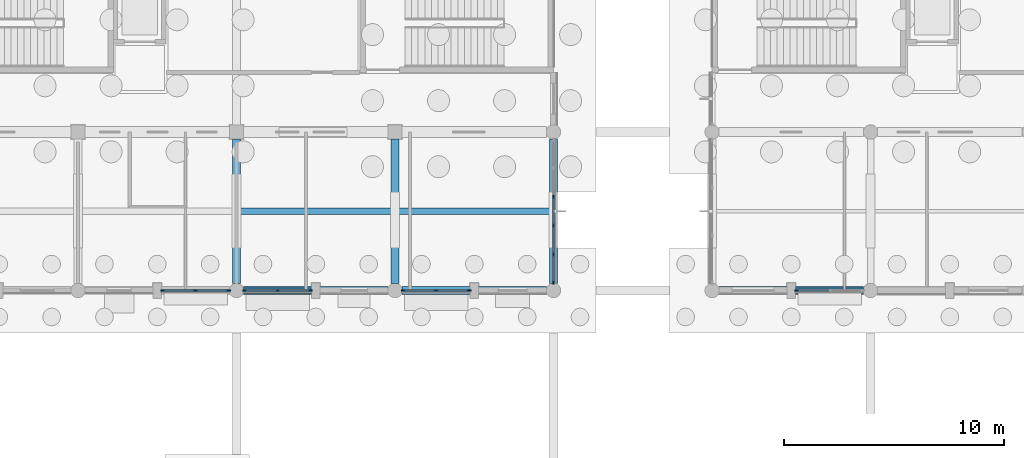
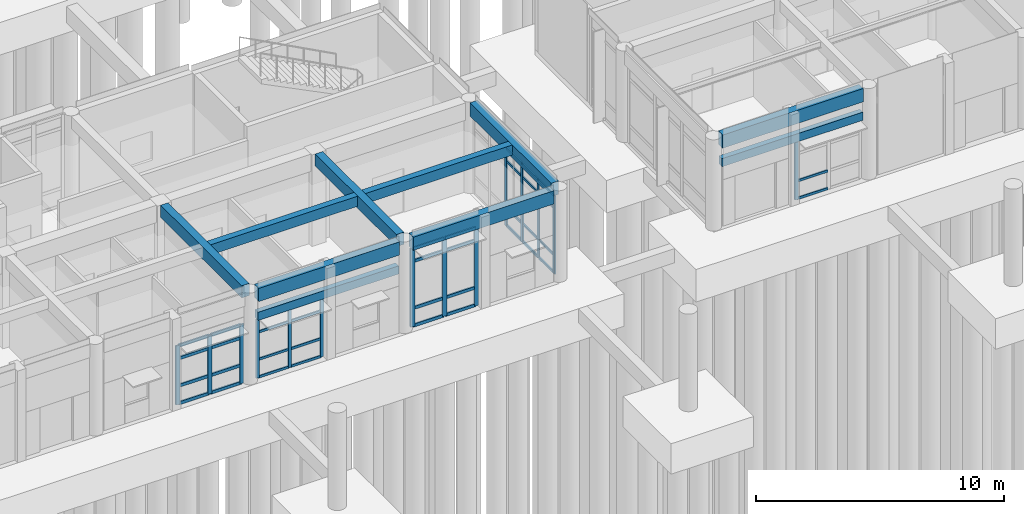
# One storey, part 19 of 103: 52 members, 10 beams, 5 elements without a shape of their own.
"""IFC4 building model written with IfcOpenShell, lengths in metres."""

from ifc_helpers import new_model, si_unit, direction, frame, origin, origin_2d, place, context, subcontext, project, spatial, rectangle, extrude, material, layer, layer_set, material_profile, profile_set, type_object, element, aggregate, save


model = new_model("IFC4")

# Units and contexts
model_context = context("Model", 3, precision=1e-05, world=origin(), true_north=direction((0.0, 1.0)))
body_context = subcontext(model_context, "Body", "Model", "MODEL_VIEW")
ifc_project = project(units=[si_unit("LENGTHUNIT", "METRE"), si_unit("AREAUNIT", "SQUARE_METRE"), si_unit("VOLUMEUNIT", "CUBIC_METRE"), si_unit("PLANEANGLEUNIT", "RADIAN"), si_unit("MASSUNIT", "GRAM", prefix="KILO")], contexts=[model_context])

# Site, building, storey
site_placement = place(None, origin())
site = spatial("IfcSite", under=ifc_project, at=site_placement, CompositionType="ELEMENT")
building_placement = place(site_placement, origin())
building = spatial("IfcBuilding", under=site, at=building_placement, Name="Namkhue Oval Health Centre", CompositionType="ELEMENT")
storey_placement = place(building_placement, origin())
storey = spatial("IfcBuildingStorey", under=building, at=storey_placement, Name="L00", CompositionType="ELEMENT", Elevation=0.0)

# Curtain wall, members
ifc_material_1 = material(Name="Anodised aluminium EN AW-6063 T6", Category="aluminium")
ifc_layer_1 = layer(ifc_material_1, 0.159912109375)
ifc_layer_set_1 = layer_set([ifc_layer_1], Name="Anodised aluminium EN AW-6063 T6")
curtain_wall_type_1 = type_object("IfcCurtainWallType", Name="UNITISED CURTAIN WALL M1800", PredefinedType="NOTDEFINED", material=ifc_layer_set_1)
curtain_wall_1_placement = place(storey_placement, origin())
curtain_wall_1 = element("IfcCurtainWall", 1, at=curtain_wall_1_placement, inside=storey, type_object=curtain_wall_type_1, Name="Volume V4 L00 Unitised Curtain Wall 137", PredefinedType="NOTDEFINED")
ifc_material_profile_1 = material_profile(ifc_material_1, rectangle(XDim=0.06494140625, YDim=0.159912109375, at=origin_2d()), Name="ALU 65x160")
ifc_profile_set_1 = profile_set([ifc_material_profile_1], Name="Anodised aluminium EN AW-6063 T6")
member_type_1 = type_object("IfcMemberType", Name="CURTAIN WALL MULLION 65X160", PredefinedType="MULLION", material=ifc_profile_set_1)
member_1_placement = place(storey_placement, frame((72.367431640625, 14.39990234375, 0.0), z_axis=(0.0, 0.0, 1.0), x_axis=(0.0, 1.0, 0.0)))
member_1 = element("IfcMember", 2, at=member_1_placement, type_object=member_type_1, Name="CW-05 mullion 1", PredefinedType="MULLION", context=body_context, shape_type="SweptSolid", body=[
    extrude(rectangle(XDim=0.06494140625, YDim=0.159912109375, at=origin_2d()), origin(), (0.0, 0.0, 1.0), 2.89990234375),
])
member_2_placement = place(storey_placement, frame((73.862060546875, 14.39990234375, 0.0), z_axis=(0.0, 0.0, 1.0), x_axis=(0.0, 1.0, 0.0)))
member_2 = element("IfcMember", 3, at=member_2_placement, type_object=member_type_1, Name="CW-05 mullion 2", PredefinedType="MULLION", context=body_context, shape_type="SweptSolid", body=[
    extrude(rectangle(XDim=0.06494140625, YDim=0.159912109375, at=origin_2d()), origin(), (0.0, 0.0, 1.0), 2.89990234375),
])
member_3_placement = place(storey_placement, frame((75.3564453125, 14.39990234375, 0.0), z_axis=(0.0, 0.0, 1.0), x_axis=(0.0, 1.0, 0.0)))
member_3 = element("IfcMember", 4, at=member_3_placement, type_object=member_type_1, Name="CW-05 mullion 3", PredefinedType="MULLION", context=body_context, shape_type="SweptSolid", body=[
    extrude(rectangle(XDim=0.06494140625, YDim=0.159912109375, at=origin_2d()), origin(), (0.0, 0.0, 1.0), 2.89990234375),
])

ifc_layer_2 = layer(ifc_material_1, 0.159912109375)
ifc_layer_set_2 = layer_set([ifc_layer_2], Name="Anodised aluminium EN AW-6063 T6")
curtain_wall_type_2 = type_object("IfcCurtainWallType", Name="UNITISED CURTAIN WALL M1200", PredefinedType="NOTDEFINED", material=ifc_layer_set_2)
curtain_wall_2_placement = place(storey_placement, origin())
curtain_wall_2 = element("IfcCurtainWall", 5, at=curtain_wall_2_placement, inside=storey, type_object=curtain_wall_type_2, Name="Volume V4 L00 Unitised Curtain Wall 139", PredefinedType="NOTDEFINED")
member_4_placement = place(storey_placement, frame((86.39990234375, 14.767578125, 0.0), z_axis=(0.0, 0.0, 1.0), x_axis=(-1.0, 0.0, 0.0)))
member_4 = element("IfcMember", 6, at=member_4_placement, type_object=member_type_1, Name="CW-01 mullion 1", PredefinedType="MULLION", context=body_context, shape_type="SweptSolid", body=[
    extrude(rectangle(XDim=0.06494140625, YDim=0.159912109375, at=origin_2d()), origin(), (0.0, 0.0, 1.0), 3.860107421875),
])
member_5_placement = place(storey_placement, frame((86.39990234375, 16.041015625, 0.0), z_axis=(0.0, 0.0, 1.0), x_axis=(-1.0, 0.0, 0.0)))
member_5 = element("IfcMember", 7, at=member_5_placement, type_object=member_type_1, Name="CW-01 mullion 2", PredefinedType="MULLION", context=body_context, shape_type="SweptSolid", body=[
    extrude(rectangle(XDim=0.06494140625, YDim=0.159912109375, at=origin_2d()), origin(), (0.0, 0.0, 1.0), 3.860107421875),
])
member_6_placement = place(storey_placement, frame((86.39990234375, 17.346923828125, 0.0), z_axis=(0.0, 0.0, 1.0), x_axis=(-1.0, 0.0, 0.0)))
member_6 = element("IfcMember", 8, at=member_6_placement, type_object=member_type_1, Name="CW-01 mullion 3", PredefinedType="MULLION", context=body_context, shape_type="SweptSolid", body=[
    extrude(rectangle(XDim=0.06494140625, YDim=0.159912109375, at=origin_2d()), origin(), (0.0, 0.0, 1.0), 3.860107421875),
])
member_7_placement = place(storey_placement, frame((86.39990234375, 18.653076171875, 0.0), z_axis=(0.0, 0.0, 1.0), x_axis=(-1.0, 0.0, 0.0)))
member_7 = element("IfcMember", 9, at=member_7_placement, type_object=member_type_1, Name="CW-01 mullion 4", PredefinedType="MULLION", context=body_context, shape_type="SweptSolid", body=[
    extrude(rectangle(XDim=0.06494140625, YDim=0.159912109375, at=origin_2d()), origin(), (0.0, 0.0, 1.0), 3.860107421875),
])

# Curtain wall, member
ifc_layer_3 = layer(ifc_material_1, 0.159912109375)
ifc_layer_set_3 = layer_set([ifc_layer_3], Name="Anodised aluminium EN AW-6063 T6")
curtain_wall_type_3 = type_object("IfcCurtainWallType", Name="UNITISED CURTAIN WALL M1500", PredefinedType="NOTDEFINED", material=ifc_layer_set_3)
curtain_wall_3_placement = place(storey_placement, origin())
curtain_wall_3 = element("IfcCurtainWall", 10, at=curtain_wall_3_placement, inside=storey, type_object=curtain_wall_type_3, Name="Volume V5 L00 Unitised Curtain Wall 177", PredefinedType="NOTDEFINED")
member_8_placement = place(storey_placement, frame((97.443603515625, 14.39990234375, 0.0), z_axis=(0.0, 0.0, 1.0), x_axis=(0.0, 1.0, 0.0)))
member_8 = element("IfcMember", 11, at=member_8_placement, type_object=member_type_1, Name="CW-03 mullion 1", PredefinedType="MULLION", context=body_context, shape_type="SweptSolid", body=[
    extrude(rectangle(XDim=0.06494140625, YDim=0.159912109375, at=origin_2d()), origin(), (0.0, 0.0, 1.0), 2.89990234375),
])

# Curtain wall, members
ifc_layer_4 = layer(ifc_material_1, 0.159912109375)
ifc_layer_set_4 = layer_set([ifc_layer_4], Name="Anodised aluminium EN AW-6063 T6")
curtain_wall_type_4 = type_object("IfcCurtainWallType", Name="UNITISED CURTAIN WALL M1600", PredefinedType="NOTDEFINED", material=ifc_layer_set_4)
curtain_wall_4_placement = place(storey_placement, origin())
curtain_wall_4 = element("IfcCurtainWall", 12, at=curtain_wall_4_placement, inside=storey, type_object=curtain_wall_type_4, Name="Volume V4 L00 Unitised Curtain Wall 136", PredefinedType="NOTDEFINED")
ifc_material_profile_2 = material_profile(ifc_material_1, rectangle(XDim=0.074951171875, YDim=0.199951171875, at=origin_2d()), Name="ALU 75x200")
ifc_profile_set_2 = profile_set([ifc_material_profile_2], Name="Anodised aluminium EN AW-6063 T6")
member_type_2 = type_object("IfcMemberType", Name="CURTAIN WALL MULLION 75X200", PredefinedType="MULLION", material=ifc_profile_set_2)
member_9_placement = place(storey_placement, frame((68.6484375, 14.39990234375, 0.0), z_axis=(0.0, 0.0, 1.0), x_axis=(0.0, 1.0, 0.0)))
member_9 = element("IfcMember", 13, at=member_9_placement, type_object=member_type_2, Name="CW-04 mullion 1", PredefinedType="MULLION", context=body_context, shape_type="SweptSolid", body=[
    extrude(rectangle(XDim=0.074951171875, YDim=0.199951171875, at=origin_2d()), origin(), (0.0, 0.0, 1.0), 2.89990234375),
])
member_10_placement = place(storey_placement, frame((70.137939453125, 14.39990234375, 0.0), z_axis=(0.0, 0.0, 1.0), x_axis=(0.0, 1.0, 0.0)))
member_10 = element("IfcMember", 14, at=member_10_placement, type_object=member_type_2, Name="CW-04 mullion 2", PredefinedType="MULLION", context=body_context, shape_type="SweptSolid", body=[
    extrude(rectangle(XDim=0.074951171875, YDim=0.199951171875, at=origin_2d()), origin(), (0.0, 0.0, 1.0), 2.89990234375),
])
member_11_placement = place(storey_placement, frame((71.62744140625, 14.39990234375, 0.0), z_axis=(0.0, 0.0, 1.0), x_axis=(0.0, 1.0, 0.0)))
member_11 = element("IfcMember", 15, at=member_11_placement, type_object=member_type_2, Name="CW-04 mullion 3", PredefinedType="MULLION", context=body_context, shape_type="SweptSolid", body=[
    extrude(rectangle(XDim=0.074951171875, YDim=0.199951171875, at=origin_2d()), origin(), (0.0, 0.0, 1.0), 2.89990234375),
])

ifc_layer_5 = layer(ifc_material_1, 0.159912109375)
ifc_layer_set_5 = layer_set([ifc_layer_5], Name="Anodised aluminium EN AW-6063 T6")
curtain_wall_type_5 = type_object("IfcCurtainWallType", Name="UNITISED CURTAIN WALL M2000", PredefinedType="NOTDEFINED", material=ifc_layer_set_5)
curtain_wall_5_placement = place(storey_placement, origin())
curtain_wall_5 = element("IfcCurtainWall", 16, at=curtain_wall_5_placement, inside=storey, type_object=curtain_wall_type_5, Name="Volume V4 L00 Unitised Curtain Wall 138", PredefinedType="NOTDEFINED")
member_12_placement = place(storey_placement, frame((79.572509765625, 14.39990234375, 0.0), z_axis=(0.0, 0.0, 1.0), x_axis=(0.0, 1.0, 0.0)))
member_12 = element("IfcMember", 17, at=member_12_placement, type_object=member_type_2, Name="CW-06 mullion 1", PredefinedType="MULLION", context=body_context, shape_type="SweptSolid", body=[
    extrude(rectangle(XDim=0.074951171875, YDim=0.199951171875, at=origin_2d()), origin(), (0.0, 0.0, 1.0), 3.860107421875),
])
member_13_placement = place(storey_placement, frame((81.06201171875, 14.39990234375, 0.0), z_axis=(0.0, 0.0, 1.0), x_axis=(0.0, 1.0, 0.0)))
member_13 = element("IfcMember", 18, at=member_13_placement, type_object=member_type_2, Name="CW-06 mullion 2", PredefinedType="MULLION", context=body_context, shape_type="SweptSolid", body=[
    extrude(rectangle(XDim=0.074951171875, YDim=0.199951171875, at=origin_2d()), origin(), (0.0, 0.0, 1.0), 3.860107421875),
])
member_14_placement = place(storey_placement, frame((82.551513671875, 14.39990234375, 0.0), z_axis=(0.0, 0.0, 1.0), x_axis=(0.0, 1.0, 0.0)))
member_14 = element("IfcMember", 19, at=member_14_placement, type_object=member_type_2, Name="CW-06 mullion 3", PredefinedType="MULLION", context=body_context, shape_type="SweptSolid", body=[
    extrude(rectangle(XDim=0.074951171875, YDim=0.199951171875, at=origin_2d()), origin(), (0.0, 0.0, 1.0), 3.860107421875),
])

# Member
ifc_material_profile_3 = material_profile(ifc_material_1, rectangle(XDim=0.06494140625, YDim=0.1201171875, at=origin_2d()), Name="ALU 65x120")
ifc_profile_set_3 = profile_set([ifc_material_profile_3], Name="Anodised aluminium EN AW-6063 T6")
member_type_3 = type_object("IfcMemberType", Name="CURTAIN WALL TRANSOM 65X120", PredefinedType="USERDEFINED", material=ifc_profile_set_3)
member_15_placement = place(storey_placement, frame((72.39990234375, 14.39990234375, 0.032470703125), z_axis=(1.0, 0.0, 0.0), x_axis=(0.0, 1.0, 0.0)))
member_15 = element("IfcMember", 20, at=member_15_placement, type_object=member_type_3, Name="CW-05 transom 1.1", ObjectType="TRANSOM", PredefinedType="USERDEFINED", context=body_context, shape_type="SweptSolid", body=[
    extrude(rectangle(XDim=0.06494140625, YDim=0.1201171875, at=origin_2d()), origin(), (0.0, 0.0, 1.0), 1.4296875),
])

member_16_placement = place(storey_placement, frame((72.39990234375, 14.39990234375, 0.89990234375), z_axis=(1.0, 0.0, 0.0), x_axis=(0.0, 1.0, 0.0)))
member_16 = element("IfcMember", 21, at=member_16_placement, type_object=member_type_3, Name="CW-05 transom 1.2", ObjectType="TRANSOM", PredefinedType="USERDEFINED", context=body_context, shape_type="SweptSolid", body=[
    extrude(rectangle(XDim=0.06494140625, YDim=0.1201171875, at=origin_2d()), origin(), (0.0, 0.0, 1.0), 1.4296875),
])

member_17_placement = place(storey_placement, frame((72.39990234375, 14.39990234375, 2.25), z_axis=(1.0, 0.0, 0.0), x_axis=(0.0, 1.0, 0.0)))
member_17 = element("IfcMember", 22, at=member_17_placement, type_object=member_type_3, Name="CW-05 transom 1.3", ObjectType="TRANSOM", PredefinedType="USERDEFINED", context=body_context, shape_type="SweptSolid", body=[
    extrude(rectangle(XDim=0.06494140625, YDim=0.1201171875, at=origin_2d()), origin(), (0.0, 0.0, 1.0), 1.4296875),
])

member_18_placement = place(storey_placement, frame((72.39990234375, 14.39990234375, 2.867431640625), z_axis=(1.0, 0.0, 0.0), x_axis=(0.0, 1.0, 0.0)))
member_18 = element("IfcMember", 23, at=member_18_placement, type_object=member_type_3, Name="CW-05 transom 1.4", ObjectType="TRANSOM", PredefinedType="USERDEFINED", context=body_context, shape_type="SweptSolid", body=[
    extrude(rectangle(XDim=0.06494140625, YDim=0.1201171875, at=origin_2d()), origin(), (0.0, 0.0, 1.0), 1.4296875),
])

member_19_placement = place(storey_placement, frame((73.89453125, 14.39990234375, 0.032470703125), z_axis=(1.0, 0.0, 0.0), x_axis=(0.0, 1.0, 0.0)))
member_19 = element("IfcMember", 24, at=member_19_placement, type_object=member_type_3, Name="CW-05 transom 2.1", ObjectType="TRANSOM", PredefinedType="USERDEFINED", context=body_context, shape_type="SweptSolid", body=[
    extrude(rectangle(XDim=0.06494140625, YDim=0.1201171875, at=origin_2d()), origin(), (0.0, 0.0, 1.0), 1.429443359375),
])

member_20_placement = place(storey_placement, frame((73.89453125, 14.39990234375, 0.89990234375), z_axis=(1.0, 0.0, 0.0), x_axis=(0.0, 1.0, 0.0)))
member_20 = element("IfcMember", 25, at=member_20_placement, type_object=member_type_3, Name="CW-05 transom 2.2", ObjectType="TRANSOM", PredefinedType="USERDEFINED", context=body_context, shape_type="SweptSolid", body=[
    extrude(rectangle(XDim=0.06494140625, YDim=0.1201171875, at=origin_2d()), origin(), (0.0, 0.0, 1.0), 1.429443359375),
])

member_21_placement = place(storey_placement, frame((73.89453125, 14.39990234375, 2.25), z_axis=(1.0, 0.0, 0.0), x_axis=(0.0, 1.0, 0.0)))
member_21 = element("IfcMember", 26, at=member_21_placement, type_object=member_type_3, Name="CW-05 transom 2.3", ObjectType="TRANSOM", PredefinedType="USERDEFINED", context=body_context, shape_type="SweptSolid", body=[
    extrude(rectangle(XDim=0.06494140625, YDim=0.1201171875, at=origin_2d()), origin(), (0.0, 0.0, 1.0), 1.429443359375),
])

member_22_placement = place(storey_placement, frame((73.89453125, 14.39990234375, 2.867431640625), z_axis=(1.0, 0.0, 0.0), x_axis=(0.0, 1.0, 0.0)))
member_22 = element("IfcMember", 27, at=member_22_placement, type_object=member_type_3, Name="CW-05 transom 2.4", ObjectType="TRANSOM", PredefinedType="USERDEFINED", context=body_context, shape_type="SweptSolid", body=[
    extrude(rectangle(XDim=0.06494140625, YDim=0.1201171875, at=origin_2d()), origin(), (0.0, 0.0, 1.0), 1.429443359375),
])

aggregate(curtain_wall_1, [member_1, member_2, member_3, member_15, member_16, member_17, member_18, member_19, member_20, member_21, member_22])

member_23_placement = place(storey_placement, frame((86.39990234375, 14.800048828125, 0.032470703125), z_axis=(0.0, 1.0, 0.0), x_axis=(-1.0, 0.0, 0.0)))
member_23 = element("IfcMember", 28, at=member_23_placement, type_object=member_type_3, Name="CW-01 transom 1.1", ObjectType="TRANSOM", PredefinedType="USERDEFINED", context=body_context, shape_type="SweptSolid", body=[
    extrude(rectangle(XDim=0.06494140625, YDim=0.1201171875, at=origin_2d()), origin(), (0.0, 0.0, 1.0), 1.20849609375),
])

member_24_placement = place(storey_placement, frame((86.39990234375, 14.800048828125, 0.89990234375), z_axis=(0.0, 1.0, 0.0), x_axis=(-1.0, 0.0, 0.0)))
member_24 = element("IfcMember", 29, at=member_24_placement, type_object=member_type_3, Name="CW-01 transom 1.2", ObjectType="TRANSOM", PredefinedType="USERDEFINED", context=body_context, shape_type="SweptSolid", body=[
    extrude(rectangle(XDim=0.06494140625, YDim=0.1201171875, at=origin_2d()), origin(), (0.0, 0.0, 1.0), 1.20849609375),
])

member_25_placement = place(storey_placement, frame((86.39990234375, 14.800048828125, 3.2099609375), z_axis=(0.0, 1.0, 0.0), x_axis=(-1.0, 0.0, 0.0)))
member_25 = element("IfcMember", 30, at=member_25_placement, type_object=member_type_3, Name="CW-01 transom 1.3", ObjectType="TRANSOM", PredefinedType="USERDEFINED", context=body_context, shape_type="SweptSolid", body=[
    extrude(rectangle(XDim=0.06494140625, YDim=0.1201171875, at=origin_2d()), origin(), (0.0, 0.0, 1.0), 1.20849609375),
])

member_26_placement = place(storey_placement, frame((86.39990234375, 14.800048828125, 3.827392578125), z_axis=(0.0, 1.0, 0.0), x_axis=(-1.0, 0.0, 0.0)))
member_26 = element("IfcMember", 31, at=member_26_placement, type_object=member_type_3, Name="CW-01 transom 1.4", ObjectType="TRANSOM", PredefinedType="USERDEFINED", context=body_context, shape_type="SweptSolid", body=[
    extrude(rectangle(XDim=0.06494140625, YDim=0.1201171875, at=origin_2d()), origin(), (0.0, 0.0, 1.0), 1.20849609375),
])

member_27_placement = place(storey_placement, frame((86.39990234375, 16.073486328125, 0.032470703125), z_axis=(0.0, 1.0, 0.0), x_axis=(-1.0, 0.0, 0.0)))
member_27 = element("IfcMember", 32, at=member_27_placement, type_object=member_type_3, Name="CW-01 transom 2.1", ObjectType="TRANSOM", PredefinedType="USERDEFINED", context=body_context, shape_type="SweptSolid", body=[
    extrude(rectangle(XDim=0.06494140625, YDim=0.1201171875, at=origin_2d()), origin(), (0.0, 0.0, 1.0), 1.240966796875),
])

member_28_placement = place(storey_placement, frame((86.39990234375, 16.073486328125, 0.89990234375), z_axis=(0.0, 1.0, 0.0), x_axis=(-1.0, 0.0, 0.0)))
member_28 = element("IfcMember", 33, at=member_28_placement, type_object=member_type_3, Name="CW-01 transom 2.2", ObjectType="TRANSOM", PredefinedType="USERDEFINED", context=body_context, shape_type="SweptSolid", body=[
    extrude(rectangle(XDim=0.06494140625, YDim=0.1201171875, at=origin_2d()), origin(), (0.0, 0.0, 1.0), 1.240966796875),
])

member_29_placement = place(storey_placement, frame((86.39990234375, 16.073486328125, 3.2099609375), z_axis=(0.0, 1.0, 0.0), x_axis=(-1.0, 0.0, 0.0)))
member_29 = element("IfcMember", 34, at=member_29_placement, type_object=member_type_3, Name="CW-01 transom 2.3", ObjectType="TRANSOM", PredefinedType="USERDEFINED", context=body_context, shape_type="SweptSolid", body=[
    extrude(rectangle(XDim=0.06494140625, YDim=0.1201171875, at=origin_2d()), origin(), (0.0, 0.0, 1.0), 1.240966796875),
])

member_30_placement = place(storey_placement, frame((86.39990234375, 16.073486328125, 3.827392578125), z_axis=(0.0, 1.0, 0.0), x_axis=(-1.0, 0.0, 0.0)))
member_30 = element("IfcMember", 35, at=member_30_placement, type_object=member_type_3, Name="CW-01 transom 2.4", ObjectType="TRANSOM", PredefinedType="USERDEFINED", context=body_context, shape_type="SweptSolid", body=[
    extrude(rectangle(XDim=0.06494140625, YDim=0.1201171875, at=origin_2d()), origin(), (0.0, 0.0, 1.0), 1.240966796875),
])

member_31_placement = place(storey_placement, frame((86.39990234375, 17.37939453125, 0.032470703125), z_axis=(0.0, 1.0, 0.0), x_axis=(-1.0, 0.0, 0.0)))
member_31 = element("IfcMember", 36, at=member_31_placement, type_object=member_type_3, Name="CW-01 transom 3.1", ObjectType="TRANSOM", PredefinedType="USERDEFINED", context=body_context, shape_type="SweptSolid", body=[
    extrude(rectangle(XDim=0.06494140625, YDim=0.1201171875, at=origin_2d()), origin(), (0.0, 0.0, 1.0), 1.2412109375),
])

member_32_placement = place(storey_placement, frame((86.39990234375, 17.37939453125, 0.89990234375), z_axis=(0.0, 1.0, 0.0), x_axis=(-1.0, 0.0, 0.0)))
member_32 = element("IfcMember", 37, at=member_32_placement, type_object=member_type_3, Name="CW-01 transom 3.2", ObjectType="TRANSOM", PredefinedType="USERDEFINED", context=body_context, shape_type="SweptSolid", body=[
    extrude(rectangle(XDim=0.06494140625, YDim=0.1201171875, at=origin_2d()), origin(), (0.0, 0.0, 1.0), 1.2412109375),
])

member_33_placement = place(storey_placement, frame((86.39990234375, 17.37939453125, 3.2099609375), z_axis=(0.0, 1.0, 0.0), x_axis=(-1.0, 0.0, 0.0)))
member_33 = element("IfcMember", 38, at=member_33_placement, type_object=member_type_3, Name="CW-01 transom 3.3", ObjectType="TRANSOM", PredefinedType="USERDEFINED", context=body_context, shape_type="SweptSolid", body=[
    extrude(rectangle(XDim=0.06494140625, YDim=0.1201171875, at=origin_2d()), origin(), (0.0, 0.0, 1.0), 1.2412109375),
])

member_34_placement = place(storey_placement, frame((86.39990234375, 17.37939453125, 3.827392578125), z_axis=(0.0, 1.0, 0.0), x_axis=(-1.0, 0.0, 0.0)))
member_34 = element("IfcMember", 39, at=member_34_placement, type_object=member_type_3, Name="CW-01 transom 3.4", ObjectType="TRANSOM", PredefinedType="USERDEFINED", context=body_context, shape_type="SweptSolid", body=[
    extrude(rectangle(XDim=0.06494140625, YDim=0.1201171875, at=origin_2d()), origin(), (0.0, 0.0, 1.0), 1.2412109375),
])

aggregate(curtain_wall_2, [member_4, member_5, member_6, member_7, member_23, member_24, member_25, member_26, member_27, member_28, member_29, member_30, member_31, member_32, member_33, member_34])

member_35_placement = place(storey_placement, frame((97.47607421875, 14.39990234375, 0.032470703125), z_axis=(1.0, 0.0, 0.0), x_axis=(0.0, 1.0, 0.0)))
member_35 = element("IfcMember", 40, at=member_35_placement, type_object=member_type_3, Name="CW-03 transom 1.1", ObjectType="TRANSOM", PredefinedType="USERDEFINED", context=body_context, shape_type="SweptSolid", body=[
    extrude(rectangle(XDim=0.06494140625, YDim=0.1201171875, at=origin_2d()), origin(), (0.0, 0.0, 1.0), 1.429443359375),
])

member_36_placement = place(storey_placement, frame((97.47607421875, 14.39990234375, 0.89990234375), z_axis=(1.0, 0.0, 0.0), x_axis=(0.0, 1.0, 0.0)))
member_36 = element("IfcMember", 41, at=member_36_placement, type_object=member_type_3, Name="CW-03 transom 1.2", ObjectType="TRANSOM", PredefinedType="USERDEFINED", context=body_context, shape_type="SweptSolid", body=[
    extrude(rectangle(XDim=0.06494140625, YDim=0.1201171875, at=origin_2d()), origin(), (0.0, 0.0, 1.0), 1.429443359375),
])

aggregate(curtain_wall_3, [member_8, member_35, member_36])

ifc_material_profile_4 = material_profile(ifc_material_1, rectangle(XDim=0.074951171875, YDim=0.14990234375, at=origin_2d()), Name="ALU 75x150")
ifc_profile_set_4 = profile_set([ifc_material_profile_4], Name="Anodised aluminium EN AW-6063 T6")
member_type_4 = type_object("IfcMemberType", Name="CURTAIN WALL TRANSOM 75X150", PredefinedType="USERDEFINED", material=ifc_profile_set_4)
member_37_placement = place(storey_placement, frame((68.68603515625, 14.39990234375, 0.03759765625), z_axis=(1.0, 0.0, 0.0), x_axis=(0.0, 1.0, 0.0)))
member_37 = element("IfcMember", 42, at=member_37_placement, type_object=member_type_4, Name="CW-04 transom 1.1", ObjectType="TRANSOM", PredefinedType="USERDEFINED", context=body_context, shape_type="SweptSolid", body=[
    extrude(rectangle(XDim=0.074951171875, YDim=0.14990234375, at=origin_2d()), origin(), (0.0, 0.0, 1.0), 1.41455078125),
])

member_38_placement = place(storey_placement, frame((68.68603515625, 14.39990234375, 0.89990234375), z_axis=(1.0, 0.0, 0.0), x_axis=(0.0, 1.0, 0.0)))
member_38 = element("IfcMember", 43, at=member_38_placement, type_object=member_type_4, Name="CW-04 transom 1.2", ObjectType="TRANSOM", PredefinedType="USERDEFINED", context=body_context, shape_type="SweptSolid", body=[
    extrude(rectangle(XDim=0.074951171875, YDim=0.14990234375, at=origin_2d()), origin(), (0.0, 0.0, 1.0), 1.41455078125),
])

member_39_placement = place(storey_placement, frame((68.68603515625, 14.39990234375, 2.25), z_axis=(1.0, 0.0, 0.0), x_axis=(0.0, 1.0, 0.0)))
member_39 = element("IfcMember", 44, at=member_39_placement, type_object=member_type_4, Name="CW-04 transom 1.3", ObjectType="TRANSOM", PredefinedType="USERDEFINED", context=body_context, shape_type="SweptSolid", body=[
    extrude(rectangle(XDim=0.074951171875, YDim=0.14990234375, at=origin_2d()), origin(), (0.0, 0.0, 1.0), 1.41455078125),
])

member_40_placement = place(storey_placement, frame((68.68603515625, 14.39990234375, 2.862548828125), z_axis=(1.0, 0.0, 0.0), x_axis=(0.0, 1.0, 0.0)))
member_40 = element("IfcMember", 45, at=member_40_placement, type_object=member_type_4, Name="CW-04 transom 1.4", ObjectType="TRANSOM", PredefinedType="USERDEFINED", context=body_context, shape_type="SweptSolid", body=[
    extrude(rectangle(XDim=0.074951171875, YDim=0.14990234375, at=origin_2d()), origin(), (0.0, 0.0, 1.0), 1.41455078125),
])

member_41_placement = place(storey_placement, frame((70.175537109375, 14.39990234375, 0.03759765625), z_axis=(1.0, 0.0, 0.0), x_axis=(0.0, 1.0, 0.0)))
member_41 = element("IfcMember", 46, at=member_41_placement, type_object=member_type_4, Name="CW-04 transom 2.1", ObjectType="TRANSOM", PredefinedType="USERDEFINED", context=body_context, shape_type="SweptSolid", body=[
    extrude(rectangle(XDim=0.074951171875, YDim=0.14990234375, at=origin_2d()), origin(), (0.0, 0.0, 1.0), 1.41455078125),
])

member_42_placement = place(storey_placement, frame((70.175537109375, 14.39990234375, 0.89990234375), z_axis=(1.0, 0.0, 0.0), x_axis=(0.0, 1.0, 0.0)))
member_42 = element("IfcMember", 47, at=member_42_placement, type_object=member_type_4, Name="CW-04 transom 2.2", ObjectType="TRANSOM", PredefinedType="USERDEFINED", context=body_context, shape_type="SweptSolid", body=[
    extrude(rectangle(XDim=0.074951171875, YDim=0.14990234375, at=origin_2d()), origin(), (0.0, 0.0, 1.0), 1.41455078125),
])

member_43_placement = place(storey_placement, frame((70.175537109375, 14.39990234375, 2.25), z_axis=(1.0, 0.0, 0.0), x_axis=(0.0, 1.0, 0.0)))
member_43 = element("IfcMember", 48, at=member_43_placement, type_object=member_type_4, Name="CW-04 transom 2.3", ObjectType="TRANSOM", PredefinedType="USERDEFINED", context=body_context, shape_type="SweptSolid", body=[
    extrude(rectangle(XDim=0.074951171875, YDim=0.14990234375, at=origin_2d()), origin(), (0.0, 0.0, 1.0), 1.41455078125),
])

member_44_placement = place(storey_placement, frame((70.175537109375, 14.39990234375, 2.862548828125), z_axis=(1.0, 0.0, 0.0), x_axis=(0.0, 1.0, 0.0)))
member_44 = element("IfcMember", 49, at=member_44_placement, type_object=member_type_4, Name="CW-04 transom 2.4", ObjectType="TRANSOM", PredefinedType="USERDEFINED", context=body_context, shape_type="SweptSolid", body=[
    extrude(rectangle(XDim=0.074951171875, YDim=0.14990234375, at=origin_2d()), origin(), (0.0, 0.0, 1.0), 1.41455078125),
])

aggregate(curtain_wall_4, [member_9, member_10, member_11, member_37, member_38, member_39, member_40, member_41, member_42, member_43, member_44])

member_45_placement = place(storey_placement, frame((79.610107421875, 14.39990234375, 0.03759765625), z_axis=(1.0, 0.0, 0.0), x_axis=(0.0, 1.0, 0.0)))
member_45 = element("IfcMember", 50, at=member_45_placement, type_object=member_type_4, Name="CW-06 transom 1.1", ObjectType="TRANSOM", PredefinedType="USERDEFINED", context=body_context, shape_type="SweptSolid", body=[
    extrude(rectangle(XDim=0.074951171875, YDim=0.14990234375, at=origin_2d()), origin(), (0.0, 0.0, 1.0), 1.414306640625),
])

member_46_placement = place(storey_placement, frame((79.610107421875, 14.39990234375, 0.89990234375), z_axis=(1.0, 0.0, 0.0), x_axis=(0.0, 1.0, 0.0)))
member_46 = element("IfcMember", 51, at=member_46_placement, type_object=member_type_4, Name="CW-06 transom 1.2", ObjectType="TRANSOM", PredefinedType="USERDEFINED", context=body_context, shape_type="SweptSolid", body=[
    extrude(rectangle(XDim=0.074951171875, YDim=0.14990234375, at=origin_2d()), origin(), (0.0, 0.0, 1.0), 1.414306640625),
])

member_47_placement = place(storey_placement, frame((79.610107421875, 14.39990234375, 3.2099609375), z_axis=(1.0, 0.0, 0.0), x_axis=(0.0, 1.0, 0.0)))
member_47 = element("IfcMember", 52, at=member_47_placement, type_object=member_type_4, Name="CW-06 transom 1.3", ObjectType="TRANSOM", PredefinedType="USERDEFINED", context=body_context, shape_type="SweptSolid", body=[
    extrude(rectangle(XDim=0.074951171875, YDim=0.14990234375, at=origin_2d()), origin(), (0.0, 0.0, 1.0), 1.414306640625),
])

member_48_placement = place(storey_placement, frame((79.610107421875, 14.39990234375, 3.822509765625), z_axis=(1.0, 0.0, 0.0), x_axis=(0.0, 1.0, 0.0)))
member_48 = element("IfcMember", 53, at=member_48_placement, type_object=member_type_4, Name="CW-06 transom 1.4", ObjectType="TRANSOM", PredefinedType="USERDEFINED", context=body_context, shape_type="SweptSolid", body=[
    extrude(rectangle(XDim=0.074951171875, YDim=0.14990234375, at=origin_2d()), origin(), (0.0, 0.0, 1.0), 1.414306640625),
])

member_49_placement = place(storey_placement, frame((81.099609375, 14.39990234375, 0.03759765625), z_axis=(1.0, 0.0, 0.0), x_axis=(0.0, 1.0, 0.0)))
member_49 = element("IfcMember", 54, at=member_49_placement, type_object=member_type_4, Name="CW-06 transom 2.1", ObjectType="TRANSOM", PredefinedType="USERDEFINED", context=body_context, shape_type="SweptSolid", body=[
    extrude(rectangle(XDim=0.074951171875, YDim=0.14990234375, at=origin_2d()), origin(), (0.0, 0.0, 1.0), 1.414306640625),
])

member_50_placement = place(storey_placement, frame((81.099609375, 14.39990234375, 0.89990234375), z_axis=(1.0, 0.0, 0.0), x_axis=(0.0, 1.0, 0.0)))
member_50 = element("IfcMember", 55, at=member_50_placement, type_object=member_type_4, Name="CW-06 transom 2.2", ObjectType="TRANSOM", PredefinedType="USERDEFINED", context=body_context, shape_type="SweptSolid", body=[
    extrude(rectangle(XDim=0.074951171875, YDim=0.14990234375, at=origin_2d()), origin(), (0.0, 0.0, 1.0), 1.414306640625),
])

member_51_placement = place(storey_placement, frame((81.099609375, 14.39990234375, 3.2099609375), z_axis=(1.0, 0.0, 0.0), x_axis=(0.0, 1.0, 0.0)))
member_51 = element("IfcMember", 56, at=member_51_placement, type_object=member_type_4, Name="CW-06 transom 2.3", ObjectType="TRANSOM", PredefinedType="USERDEFINED", context=body_context, shape_type="SweptSolid", body=[
    extrude(rectangle(XDim=0.074951171875, YDim=0.14990234375, at=origin_2d()), origin(), (0.0, 0.0, 1.0), 1.414306640625),
])

member_52_placement = place(storey_placement, frame((81.099609375, 14.39990234375, 3.822509765625), z_axis=(1.0, 0.0, 0.0), x_axis=(0.0, 1.0, 0.0)))
member_52 = element("IfcMember", 57, at=member_52_placement, type_object=member_type_4, Name="CW-06 transom 2.4", ObjectType="TRANSOM", PredefinedType="USERDEFINED", context=body_context, shape_type="SweptSolid", body=[
    extrude(rectangle(XDim=0.074951171875, YDim=0.14990234375, at=origin_2d()), origin(), (0.0, 0.0, 1.0), 1.414306640625),
])

aggregate(curtain_wall_5, [member_12, member_13, member_14, member_45, member_46, member_47, member_48, member_49, member_50, member_51, member_52])

# Beams
ifc_material_2 = material(Name="Reinforced concrete C30/37 (TCVN B35)", Category="concrete")
ifc_material_profile_5 = material_profile(ifc_material_2, rectangle(XDim=0.35009765625, YDim=0.60009765625, at=origin_2d()), Name="RC 350x600")
ifc_profile_set_5 = profile_set([ifc_material_profile_5], Name="Reinforced concrete C30/37 (TCVN B35)")
beam_type_1 = type_object("IfcBeamType", Name="FLOOR BEAM RC 350X600", PredefinedType="BEAM", material=ifc_profile_set_5)
for number, where, z_axis, x_axis, name in (
    (58, (72.0, 14.72509765625, 4.2099609375), (0.0, 1.0, 0.0), (-1.0, 0.0, 0.0), "Volume V4 L01 Beam 11/C-D"),
    (59, (79.199951171875, 14.72509765625, 4.2099609375), (0.0, 1.0, 0.0), (-1.0, 0.0, 0.0), "Volume V4 L01 Beam 12/C-D"),
):
    element("IfcBeam", number, at=place(storey_placement, frame(where, z_axis=z_axis, x_axis=x_axis)), inside=storey, type_object=beam_type_1, Name=name, PredefinedType="BEAM", context=body_context, shape_type="SweptSolid", body=[
        extrude(rectangle(XDim=0.35009765625, YDim=0.60009765625, at=origin_2d()), origin(), (0.0, 0.0, 1.0), 6.5498046875),
    ])
ifc_material_profile_6 = material_profile(ifc_material_2, rectangle(XDim=0.25, YDim=0.39990234375, at=origin_2d()), Name="RC 250x400")
ifc_profile_set_6 = profile_set([ifc_material_profile_6], Name="Reinforced concrete C30/37 (TCVN B35)")
beam_type_2 = type_object("IfcBeamType", Name="OPENING LINTEL BEAM 250X400", PredefinedType="LINTEL", material=ifc_profile_set_6)
for number, where, z_axis, x_axis, name in (
    (60, (72.324951171875, 14.39990234375, 3.10009765625), (1.0, 0.0, 0.0), (0.0, 1.0, 0.0), "Volume V4 L00 Portal Lintel Beam 9"),
    (61, (93.925048828125, 14.39990234375, 3.10009765625), (1.0, 0.0, 0.0), (0.0, 1.0, 0.0), "Volume V5 L00 Portal Lintel Beam 10"),
):
    element("IfcBeam", number, at=place(storey_placement, frame(where, z_axis=z_axis, x_axis=x_axis)), inside=storey, type_object=beam_type_2, Name=name, PredefinedType="LINTEL", context=body_context, shape_type="SweptSolid", body=[
        extrude(rectangle(XDim=0.25, YDim=0.39990234375, at=origin_2d()), origin(), (0.0, 0.0, 1.0), 6.550048828125),
    ])
ifc_material_3 = material(Name="Reinforced concrete C35/45 (TCVN B40)", Category="concrete")
ifc_material_profile_7 = material_profile(ifc_material_3, rectangle(XDim=0.35009765625, YDim=0.64990234375, at=origin_2d()), Name="RC 350x650")
ifc_profile_set_7 = profile_set([ifc_material_profile_7], Name="Reinforced concrete C35/45 (TCVN B40)")
beam_type_3 = type_object("IfcBeamType", Name="PERIMETER SPANDREL BEAM 350X650", PredefinedType="SPANDREL", material=ifc_profile_set_7)
for number, where, z_axis, x_axis, name in (
    (62, (72.324951171875, 14.39990234375, 4.18505859375), (1.0, 0.0, 0.0), (0.0, 1.0, 0.0), "Volume V4 L01 Girder C/11-12"),
    (63, (79.52490234375, 14.39990234375, 4.18505859375), (1.0, 0.0, 0.0), (0.0, 1.0, 0.0), "Volume V4 L01 Girder C/12-13"),
):
    element("IfcBeam", number, at=place(storey_placement, frame(where, z_axis=z_axis, x_axis=x_axis)), inside=storey, type_object=beam_type_3, Name=name, PredefinedType="SPANDREL", context=body_context, shape_type="SweptSolid", body=[
        extrude(rectangle(XDim=0.35009765625, YDim=0.64990234375, at=origin_2d()), origin(), (0.0, 0.0, 1.0), 6.550048828125),
    ])
beam_1_placement = place(storey_placement, frame((86.39990234375, 14.72509765625, 4.18505859375), z_axis=(0.0, 1.0, 0.0), x_axis=(-1.0, 0.0, 0.0)))
element("IfcBeam", 64, at=beam_1_placement, inside=storey, type_object=beam_type_3, Name="Volume V4 L01 Beam 13/C-D", PredefinedType="SPANDREL", context=body_context, shape_type="SweptSolid", body=[
    extrude(rectangle(XDim=0.35009765625, YDim=0.64990234375, at=origin_2d()), origin(), (0.0, 0.0, 1.0), 6.5498046875),
])
beam_2_placement = place(storey_placement, frame((93.925048828125, 14.39990234375, 4.169921875), z_axis=(1.0, 0.0, 0.0), x_axis=(0.0, 1.0, 0.0)))
element("IfcBeam", 65, at=beam_2_placement, inside=storey, type_object=beam_type_3, Name="Volume V5 L01 Girder C/14-15", PredefinedType="SPANDREL", context=body_context, shape_type="SweptSolid", body=[
    extrude(rectangle(XDim=0.35009765625, YDim=0.64990234375, at=origin_2d()), origin(), (0.0, 0.0, 1.0), 6.550048828125),
])
ifc_material_profile_8 = material_profile(ifc_material_2, rectangle(XDim=0.300048828125, YDim=0.5, at=origin_2d()), Name="RC 300x500")
ifc_profile_set_8 = profile_set([ifc_material_profile_8], Name="Reinforced concrete C30/37 (TCVN B35)")
beam_type_4 = type_object("IfcBeamType", Name="SECONDARY JOIST RC 300X500", PredefinedType="JOIST", material=ifc_profile_set_8)
beam_3_placement = place(storey_placement, frame((72.175048828125, 18.0, 4.260009765625), z_axis=(1.0, 0.0, 0.0), x_axis=(0.0, 1.0, 0.0)))
element("IfcBeam", 66, at=beam_3_placement, inside=storey, type_object=beam_type_4, Name="Volume V4 L01 Secondary Joist 11-12", PredefinedType="JOIST", context=body_context, shape_type="SweptSolid", body=[
    extrude(rectangle(XDim=0.300048828125, YDim=0.5, at=origin_2d()), origin(), (0.0, 0.0, 1.0), 6.849853515625),
])
beam_4_placement = place(storey_placement, frame((79.375, 18.0, 4.260009765625), z_axis=(1.0, 0.0, 0.0), x_axis=(0.0, 1.0, 0.0)))
element("IfcBeam", 67, at=beam_4_placement, inside=storey, type_object=beam_type_4, Name="Volume V4 L01 Secondary Joist 12-13", PredefinedType="JOIST", context=body_context, shape_type="SweptSolid", body=[
    extrude(rectangle(XDim=0.300048828125, YDim=0.5, at=origin_2d()), origin(), (0.0, 0.0, 1.0), 6.85009765625),
])

save(model, "model.ifc")
